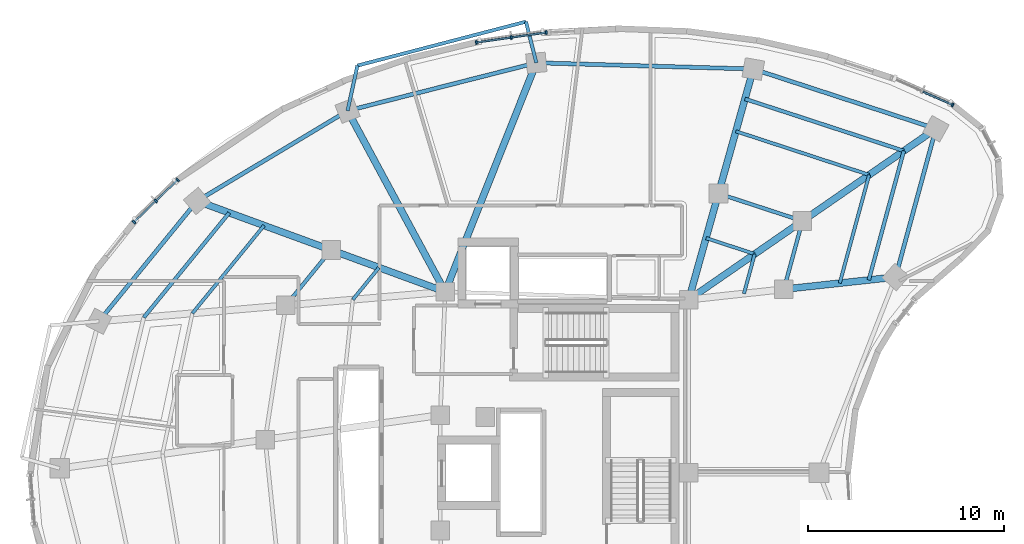
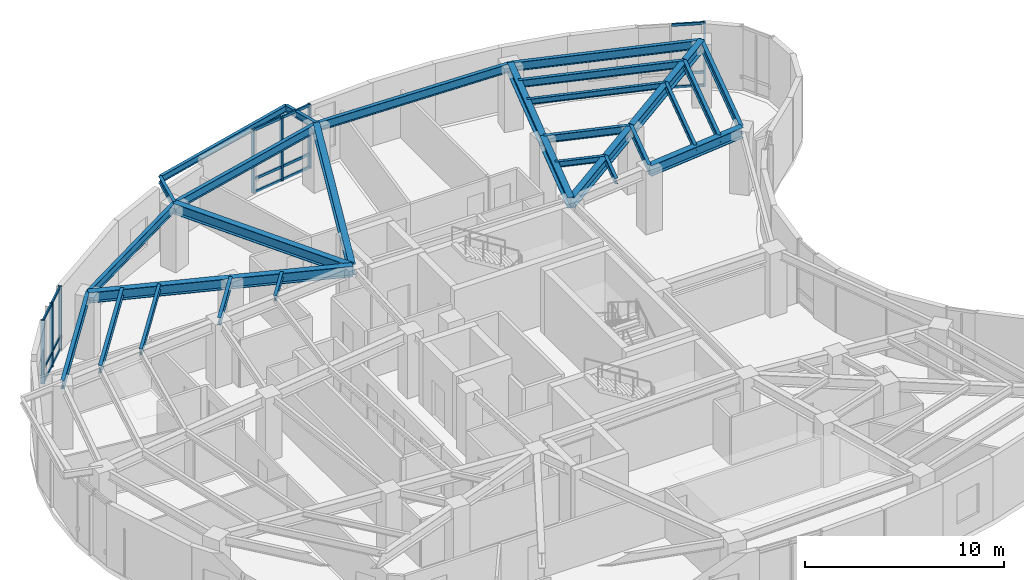
# One storey, part 5 of 15: 30 beams, 22 members, 3 elements without a shape of their own.
"""IFC4 building model written with IfcOpenShell, lengths in metres."""

import ifcopenshell
import ifcopenshell.guid

model = None  # the IFC model being written
_history = None  # IfcOwnerHistory: only IFC2X3 demands one
_inside = {}  # id of a spatial element -> (the spatial element, [elements in it])
_under = {}  # id of a project, library or spatial element -> (it, [spatial elements below it])
_declared = {}  # id of a project -> (the project, [libraries it declares])
_typed = {}  # id of a type object -> (the type object, [elements of that type])
_made_of = {}  # id of a material, layer set ... -> (it, [elements and type objects made of it])


def new_model(schema):
    """Start an empty IFC model of exactly this schema.

    Asked for "IFC4X3", IfcOpenShell would pick the latest addendum, in which some entities
    have other attributes; the version numbers below select the first issue.
    IFC2X3 requires an IfcOwnerHistory on every rooted entity: one is made here for all.
    """
    global model, _history
    if schema == "IFC4X3":
        model = ifcopenshell.file(schema_version=(4, 3, 0, 0))
    else:
        model = ifcopenshell.file(schema=schema)
    _inside.clear()
    _under.clear()
    _declared.clear()
    _typed.clear()
    _made_of.clear()
    _history = None
    if model.schema == "IFC2X3":
        org = make("IfcOrganization", Name="unknown")
        user = make(
            "IfcPersonAndOrganization",
            ThePerson=make("IfcPerson", FamilyName="unknown"),
            TheOrganization=org,
        )
        app = make(
            "IfcApplication",
            ApplicationDeveloper=org,
            Version="unknown",
            ApplicationFullName="unknown",
            ApplicationIdentifier="unknown",
        )
        _history = make(
            "IfcOwnerHistory",
            OwningUser=user,
            OwningApplication=app,
            ChangeAction="ADDED",
            CreationDate=0,
        )
    return model


def make(cls, **values):
    """One entity of the class cls with the attributes given. An attribute that is None is left unset."""
    return model.create_entity(
        cls, **{name: value for name, value in values.items() if value is not None}
    )


def rooted(cls, **values):
    """An entity with a GlobalId (a new one), such as an element, a storey or a relation."""
    return make(cls, GlobalId=ifcopenshell.guid.new(), OwnerHistory=_history, **values)


def si_unit(unit_type, name, prefix=None):
    """IfcSIUnit, for example si_unit("LENGTHUNIT", "METRE", prefix="MILLI")."""
    return make("IfcSIUnit", UnitType=unit_type, Prefix=prefix, Name=name)


def assignment(units):
    """IfcUnitAssignment: the units of a project."""
    return None if units is None else make("IfcUnitAssignment", Units=units)


def point(xyz):
    """IfcCartesianPoint."""
    return None if xyz is None else make("IfcCartesianPoint", Coordinates=xyz)


def direction(xyz):
    """IfcDirection."""
    return None if xyz is None else make("IfcDirection", DirectionRatios=xyz)


def frame(location, z_axis=None, x_axis=None):
    """IfcAxis2Placement3D, a coordinate frame: its origin and axes. An axis left out is left unset."""
    return make(
        "IfcAxis2Placement3D",
        Location=point(location),
        Axis=direction(z_axis),
        RefDirection=direction(x_axis),
    )


def frame_2d(location, x_axis=None):
    """IfcAxis2Placement2D, a coordinate frame in the plane: its origin and x axis."""
    return make(
        "IfcAxis2Placement2D", Location=point(location), RefDirection=direction(x_axis)
    )


def origin():
    """The frame at (0, 0, 0) with its axes left unset."""
    return frame((0.0, 0.0, 0.0))


def origin_2d():
    """The frame at (0, 0) in the plane with its x axis left unset."""
    return frame_2d((0.0, 0.0))


def place(relative_to, where):
    """IfcLocalPlacement: puts the frame where relative to a parent placement (None: the world)."""
    return make(
        "IfcLocalPlacement", PlacementRelTo=relative_to, RelativePlacement=where
    )


def context(
    kind, dimensions, precision=None, world=None, true_north=None, identifier=None
):
    """IfcGeometricRepresentationContext, for example the 3D "Model" context."""
    return make(
        "IfcGeometricRepresentationContext",
        ContextIdentifier=identifier,
        ContextType=kind,
        CoordinateSpaceDimension=dimensions,
        Precision=precision,
        WorldCoordinateSystem=world,
        TrueNorth=true_north,
    )


def subcontext(parent, identifier, kind, view, scale=None):
    """IfcGeometricRepresentationSubContext, for example "Body" below "Model"."""
    return make(
        "IfcGeometricRepresentationSubContext",
        ContextIdentifier=identifier,
        ContextType=kind,
        ParentContext=parent,
        TargetScale=scale,
        TargetView=view,
    )


def project(units=None, contexts=None):
    """IfcProject with its units and contexts."""
    return rooted(
        "IfcProject",
        Name="project",
        RepresentationContexts=contexts,
        UnitsInContext=assignment(units),
    )


def spatial(cls, under=None, at=None, **own):
    """A site, building, storey or space (cls), placed at a placement, below another one or the project."""
    s = rooted(cls, ObjectPlacement=at, **own)
    if under is not None:
        _under.setdefault(under.id(), (under, []))[1].append(s)
    return s


def profile(cls, at=None, kind="AREA", **sizes):
    """A parametric profile (cls). Its sizes go by their IFC names, for example OverallWidth=200.0."""
    return make(cls, ProfileType=kind, Position=at, **sizes)


def rectangle(**sizes):
    """IfcRectangleProfileDef."""
    return profile("IfcRectangleProfileDef", **sizes)


def i_section(**sizes):
    """IfcIShapeProfileDef."""
    return profile("IfcIShapeProfileDef", **sizes)


def extrude(swept, where, along, depth):
    """IfcExtrudedAreaSolid: the profile swept, set in the frame where, extruded along a direction by depth."""
    return make(
        "IfcExtrudedAreaSolid",
        SweptArea=swept,
        Position=where,
        ExtrudedDirection=direction(along),
        Depth=depth,
    )


def shape(context_of_items, identifier, shape_type, items):
    """IfcShapeRepresentation: the items that make up one representation, for example the "Body"."""
    return make(
        "IfcShapeRepresentation",
        ContextOfItems=context_of_items,
        RepresentationIdentifier=identifier,
        RepresentationType=shape_type,
        Items=items,
    )


def material(Name=None, Category=None):
    """IfcMaterial."""
    return make("IfcMaterial", Name=Name, Category=Category)


def layer(
    of_material, thickness, ventilated=None, Name=None, Category=None, Priority=None
):
    """IfcMaterialLayer: one layer of a wall or slab, of a material (None: an air gap)."""
    return make(
        "IfcMaterialLayer",
        Material=of_material,
        LayerThickness=thickness,
        IsVentilated=ventilated,
        Name=Name,
        Category=Category,
        Priority=Priority,
    )


def layer_set(layers, Name=None):
    """IfcMaterialLayerSet."""
    return make("IfcMaterialLayerSet", MaterialLayers=layers, LayerSetName=Name)


def material_profile(
    of_material, cross_section, Name=None, Category=None, Priority=None
):
    """IfcMaterialProfile: a cross section and its material."""
    return make(
        "IfcMaterialProfile",
        Name=Name,
        Material=of_material,
        Profile=cross_section,
        Priority=Priority,
        Category=Category,
    )


def profile_set(profiles, Name=None, composite=None):
    """IfcMaterialProfileSet."""
    return make(
        "IfcMaterialProfileSet",
        Name=Name,
        MaterialProfiles=profiles,
        CompositeProfile=composite,
    )


def made_of(thing, what):
    """Note that an element or type object is made of a material, layer set ...; save() writes the relation."""
    if what is not None:
        _made_of.setdefault(what.id(), (what, []))[1].append(thing)
    return thing


def type_object(cls, material=None, **own):
    """A type object (cls), such as IfcWallType, which elements share."""
    return made_of(rooted(cls, **own), material)


def element(
    cls,
    number,
    at=None,
    inside=None,
    cuts=None,
    type_object=None,
    material=None,
    context=None,
    identifier="Body",
    shape_type=None,
    held_by="IfcProductDefinitionShape",
    body=None,
    shapes=None,
    **own,
):
    """One element of the class cls, such as IfcWall. Its Tag is "e" and its number.

    at: its placement. inside: the storey or other place that contains it. cuts: it is an
    opening in that element (IfcRelVoidsElement). A single representation is given by context,
    identifier, shape_type and body (its items); several are given by shapes. held_by: the class
    of the entity that holds the representations. save() writes the other relations.
    """
    e = rooted(cls, Tag="e%d" % number, ObjectPlacement=at, **own)
    if body is not None:
        shapes = [shape(context, identifier, shape_type, body)]
    if shapes is not None:
        e.Representation = make(held_by, Representations=shapes)
    if inside is not None:
        _inside.setdefault(inside.id(), (inside, []))[1].append(e)
    if cuts is not None:
        rooted(
            "IfcRelVoidsElement", RelatingBuildingElement=cuts, RelatedOpeningElement=e
        )
    if type_object is not None:
        _typed.setdefault(type_object.id(), (type_object, []))[1].append(e)
    return made_of(e, material)


def aggregate(whole, parts):
    """IfcRelAggregates: a whole, such as a stair, and the parts it consists of."""
    return rooted("IfcRelAggregates", RelatingObject=whole, RelatedObjects=parts)


def save(model, path):
    """Write the relations noted so far, then the file.

    IfcRelAggregates (storeys below a building ...), IfcRelContainedInSpatialStructure (elements
    in a storey), IfcRelDefinesByType, IfcRelAssociatesMaterial and IfcRelDeclares: one each for
    every whole, place, type object, material and project.
    """
    for whole, parts in _under.values():
        aggregate(whole, parts)
    for where, things in _inside.values():
        rooted(
            "IfcRelContainedInSpatialStructure",
            RelatedElements=things,
            RelatingStructure=where,
        )
    for kind, things in _typed.values():
        rooted("IfcRelDefinesByType", RelatedObjects=things, RelatingType=kind)
    for what, things in _made_of.values():
        rooted("IfcRelAssociatesMaterial", RelatedObjects=things, RelatingMaterial=what)
    for by, libraries in _declared.values():
        rooted("IfcRelDeclares", RelatingContext=by, RelatedDefinitions=libraries)
    model.write(path)


model = new_model("IFC4")

# Units and contexts
model_context = context("Model", 3, precision=1e-05, world=origin(), true_north=direction((0.0, 1.0)))
body_context = subcontext(model_context, "Body", "Model", "MODEL_VIEW")
ifc_project = project(units=[si_unit("LENGTHUNIT", "METRE"), si_unit("AREAUNIT", "SQUARE_METRE"), si_unit("VOLUMEUNIT", "CUBIC_METRE"), si_unit("PLANEANGLEUNIT", "RADIAN"), si_unit("MASSUNIT", "GRAM", prefix="KILO")], contexts=[model_context])

# Site, building, storey
site_placement = place(None, origin())
site = spatial("IfcSite", under=ifc_project, at=site_placement, CompositionType="ELEMENT")
building_placement = place(site_placement, origin())
building = spatial("IfcBuilding", under=site, at=building_placement, Name="Korentha Bioscience Tower", CompositionType="ELEMENT")
storey_placement = place(building_placement, frame((0.0, 0.0, 218.39990234375)))
storey = spatial("IfcBuildingStorey", under=building, at=storey_placement, Name="L50", CompositionType="ELEMENT", Elevation=218.39990234375)

# Beams
ifc_material_1 = material(Name="Steel S355", Category="steel")
ifc_material_profile_1 = material_profile(ifc_material_1, i_section(OverallWidth=0.18994140625, OverallDepth=0.45703125, WebThickness=0.009033203125, FlangeThickness=0.014404296875, at=origin_2d()), Name="Steel S355")
ifc_profile_set_1 = profile_set([ifc_material_profile_1], Name="Steel S355 (MB-460)")
beam_type_1 = type_object("IfcBeamType", Name="Mid-Ring Tie Girder W460x74", PredefinedType="BEAM", material=ifc_profile_set_1)
beam_1_placement = place(storey_placement, frame((43.357666015625, 39.8662109375, 3.671630859375), z_axis=(-0.950447398506, 0.310885417274, 0.0), x_axis=(-0.310885417274, -0.950447398506, 0.0)))
element("IfcBeam", 1, at=beam_1_placement, inside=storey, type_object=beam_type_1, Name="L50 Mid-Ring Tie Girder 01", PredefinedType="BEAM", context=body_context, shape_type="SweptSolid", body=[
    extrude(i_section(OverallWidth=0.18994140625, OverallDepth=0.45703125, WebThickness=0.009033203125, FlangeThickness=0.014404296875, at=origin_2d()), origin(), (0.0, 0.0, 1.0), 4.5146484375),
])
beam_2_placement = place(storey_placement, frame((19.268310546875, 38.3837890625, 3.671630859375), z_axis=(-0.632275728894, -0.774743443116, 0.0), x_axis=(0.774743443116, -0.632275728894, 0.0)))
element("IfcBeam", 2, at=beam_2_placement, inside=storey, type_object=beam_type_1, Name="L50 Mid-Ring Tie Girder 05", PredefinedType="BEAM", context=body_context, shape_type="SweptSolid", body=[
    extrude(i_section(OverallWidth=0.18994140625, OverallDepth=0.45703125, WebThickness=0.009033203125, FlangeThickness=0.014404296875, at=origin_2d()), origin(), (0.0, 0.0, 1.0), 3.650146484375),
])
beam_3_placement = place(storey_placement, frame((42.41064453125, 36.379638671875, 3.671630859375), z_axis=(0.262122358011, 0.965034646752, 0.0), x_axis=(-0.965034646752, 0.262122358011, 0.0)))
element("IfcBeam", 3, at=beam_3_placement, inside=storey, type_object=beam_type_1, Name="L50 Mid-Ring Tie Girder 16", PredefinedType="BEAM", context=body_context, shape_type="SweptSolid", body=[
    extrude(i_section(OverallWidth=0.18994140625, OverallDepth=0.45703125, WebThickness=0.009033203125, FlangeThickness=0.014404296875, at=origin_2d()), origin(), (0.0, 0.0, 1.0), 3.61279296875),
])

# Curtain wall, member
ifc_material_2 = material(Name="Thermally Broken Aluminium Frame", Category="aluminium")
ifc_layer = layer(ifc_material_2, 0.219970703125, Name="Thermally Broken Aluminium Frame")
ifc_layer_set = layer_set([ifc_layer], Name="Thermally Broken Aluminium Frame (CW-T2)")
curtain_wall_type = type_object("IfcCurtainWallType", Name="Solar-Screened Lab Unitised Curtain Wall CW-T2", PredefinedType="USERDEFINED", material=ifc_layer_set)
curtain_wall_1_placement = place(storey_placement, origin())
curtain_wall_1 = element("IfcCurtainWall", 4, at=curtain_wall_1_placement, inside=storey, type_object=curtain_wall_type, Name="L50 Curtain Wall 01", ObjectType="UNITISED", PredefinedType="USERDEFINED")
ifc_material_3 = material(Name="Anodised Aluminium 6063-T6", Category="aluminium")
ifc_material_profile_2 = material_profile(ifc_material_3, rectangle(XDim=0.090087890625, YDim=0.199951171875, at=origin_2d()), Name="Anodised Aluminium 6063-T6")
ifc_profile_set_2 = profile_set([ifc_material_profile_2], Name="Anodised Aluminium 6063-T6 (CW-MUL)")
member_type_1 = type_object("IfcMemberType", Name="Mullion RECT 90x200", PredefinedType="MULLION", material=ifc_profile_set_2)
member_1_placement = place(storey_placement, frame((51.038818359375, 45.795166015625, 0.0), z_axis=(0.0, 0.0, 1.0), x_axis=(-0.913943941578, 0.405840450983, 0.0)))
member_1 = element("IfcMember", 5, at=member_1_placement, type_object=member_type_1, Name="CW-L50-01 Mullion 1", PredefinedType="MULLION", context=body_context, shape_type="SweptSolid", body=[
    extrude(rectangle(XDim=0.090087890625, YDim=0.199951171875, at=origin_2d()), origin(), (0.0, 0.0, 1.0), 3.900146484375),
])

# Curtain wall, members
curtain_wall_2_placement = place(storey_placement, origin())
curtain_wall_2 = element("IfcCurtainWall", 6, at=curtain_wall_2_placement, inside=storey, type_object=curtain_wall_type, Name="L50 Curtain Wall 07", ObjectType="UNITISED", PredefinedType="USERDEFINED")
member_2_placement = place(storey_placement, frame((30.267578125, 49.498779296875, 0.0), z_axis=(0.0, 0.0, 1.0), x_axis=(-0.989901889134, -0.141754188259, 0.0)))
member_2 = element("IfcMember", 7, at=member_2_placement, type_object=member_type_1, Name="CW-L50-07 Mullion 1", PredefinedType="MULLION", context=body_context, shape_type="SweptSolid", body=[
    extrude(rectangle(XDim=0.090087890625, YDim=0.199951171875, at=origin_2d()), origin(), (0.0, 0.0, 1.0), 3.900146484375),
])
member_3_placement = place(storey_placement, frame((28.47998046875, 49.242919921875, 0.0), z_axis=(0.0, 0.0, 1.0), x_axis=(-0.989901889134, -0.141754188259, 0.0)))
member_3 = element("IfcMember", 8, at=member_3_placement, type_object=member_type_1, Name="CW-L50-07 Mullion 2", PredefinedType="MULLION", context=body_context, shape_type="SweptSolid", body=[
    extrude(rectangle(XDim=0.090087890625, YDim=0.199951171875, at=origin_2d()), origin(), (0.0, 0.0, 1.0), 3.900146484375),
])
member_4_placement = place(storey_placement, frame((26.6923828125, 48.98681640625, 0.0), z_axis=(0.0, 0.0, 1.0), x_axis=(-0.989901889134, -0.141754188259, 0.0)))
member_4 = element("IfcMember", 9, at=member_4_placement, type_object=member_type_1, Name="CW-L50-07 Mullion 3", PredefinedType="MULLION", context=body_context, shape_type="SweptSolid", body=[
    extrude(rectangle(XDim=0.090087890625, YDim=0.199951171875, at=origin_2d()), origin(), (0.0, 0.0, 1.0), 3.900146484375),
])

curtain_wall_3_placement = place(storey_placement, origin())
curtain_wall_3 = element("IfcCurtainWall", 10, at=curtain_wall_3_placement, inside=storey, type_object=curtain_wall_type, Name="L50 Curtain Wall 13", ObjectType="UNITISED", PredefinedType="USERDEFINED")
member_5_placement = place(storey_placement, frame((11.43017578125, 41.968994140625, 0.0), z_axis=(0.0, 0.0, 1.0), x_axis=(-0.719000359175, -0.695009700297, 0.0)))
member_5 = element("IfcMember", 11, at=member_5_placement, type_object=member_type_1, Name="CW-L50-13 Mullion 1", PredefinedType="MULLION", context=body_context, shape_type="SweptSolid", body=[
    extrude(rectangle(XDim=0.090087890625, YDim=0.199951171875, at=origin_2d()), origin(), (0.0, 0.0, 1.0), 3.900146484375),
])
member_6_placement = place(storey_placement, frame((10.313232421875, 40.889404296875, 0.0), z_axis=(0.0, 0.0, 1.0), x_axis=(-0.719000359175, -0.695009700297, 0.0)))
member_6 = element("IfcMember", 12, at=member_6_placement, type_object=member_type_1, Name="CW-L50-13 Mullion 2", PredefinedType="MULLION", context=body_context, shape_type="SweptSolid", body=[
    extrude(rectangle(XDim=0.090087890625, YDim=0.199951171875, at=origin_2d()), origin(), (0.0, 0.0, 1.0), 3.900146484375),
])
member_7_placement = place(storey_placement, frame((9.1962890625, 39.809814453125, 0.0), z_axis=(0.0, 0.0, 1.0), x_axis=(-0.719000359175, -0.695009700297, 0.0)))
member_7 = element("IfcMember", 13, at=member_7_placement, type_object=member_type_1, Name="CW-L50-13 Mullion 3", PredefinedType="MULLION", context=body_context, shape_type="SweptSolid", body=[
    extrude(rectangle(XDim=0.090087890625, YDim=0.199951171875, at=origin_2d()), origin(), (0.0, 0.0, 1.0), 3.900146484375),
])

# Beams
ifc_material_profile_3 = material_profile(ifc_material_1, i_section(OverallWidth=0.208984375, OverallDepth=0.532958984375, WebThickness=0.01025390625, FlangeThickness=0.015625, at=origin_2d()), Name="Steel S355")
ifc_profile_set_3 = profile_set([ifc_material_profile_3], Name="Steel S355 (SB-530)")
beam_type_2 = type_object("IfcBeamType", Name="Perimeter Ring Spandrel Girder W530x92", PredefinedType="SPANDREL", material=ifc_profile_set_3)
beam_4_placement = place(storey_placement, frame((50.175537109375, 44.580810546875, 3.633544921875), z_axis=(-0.950449256032, 0.310879738338, 0.0), x_axis=(-0.310879738338, -0.950449256032, 0.0)))
element("IfcBeam", 14, at=beam_4_placement, inside=storey, type_object=beam_type_2, Name="L50 Perimeter Spandrel Girder 01", PredefinedType="SPANDREL", context=body_context, shape_type="SweptSolid", body=[
    extrude(i_section(OverallWidth=0.208984375, OverallDepth=0.532958984375, WebThickness=0.01025390625, FlangeThickness=0.015625, at=origin_2d()), origin(), (0.0, 0.0, 1.0), 9.81494140625),
])
beam_5_placement = place(storey_placement, frame((40.846923828125, 47.632080078125, 3.633544921875), z_axis=(-0.999586140554, 0.028767127286, 0.0), x_axis=(-0.028767127286, -0.999586140554, 0.0)))
element("IfcBeam", 15, at=beam_5_placement, inside=storey, type_object=beam_type_2, Name="L50 Perimeter Spandrel Girder 02", PredefinedType="SPANDREL", context=body_context, shape_type="SweptSolid", body=[
    extrude(i_section(OverallWidth=0.208984375, OverallDepth=0.532958984375, WebThickness=0.01025390625, FlangeThickness=0.015625, at=origin_2d()), origin(), (0.0, 0.0, 1.0), 11.09228515625),
])
beam_6_placement = place(storey_placement, frame((29.75927734375, 47.951171875, 3.633544921875), z_axis=(-0.969197317616, -0.246285524395, 0.0), x_axis=(0.246285524395, -0.969197317616, 0.0)))
element("IfcBeam", 16, at=beam_6_placement, inside=storey, type_object=beam_type_2, Name="L50 Perimeter Spandrel Girder 03", PredefinedType="SPANDREL", context=body_context, shape_type="SweptSolid", body=[
    extrude(i_section(OverallWidth=0.208984375, OverallDepth=0.532958984375, WebThickness=0.01025390625, FlangeThickness=0.015625, at=origin_2d()), origin(), (0.0, 0.0, 1.0), 9.95263671875),
])
beam_7_placement = place(storey_placement, frame((20.11328125, 45.5, 3.633544921875), z_axis=(-0.857644232791, -0.514243492872, 0.0), x_axis=(0.514243492872, -0.857644232791, 0.0)))
element("IfcBeam", 17, at=beam_7_placement, inside=storey, type_object=beam_type_2, Name="L50 Perimeter Spandrel Girder 04", PredefinedType="SPANDREL", context=body_context, shape_type="SweptSolid", body=[
    extrude(i_section(OverallWidth=0.208984375, OverallDepth=0.532958984375, WebThickness=0.01025390625, FlangeThickness=0.015625, at=origin_2d()), origin(), (0.0, 0.0, 1.0), 8.96728515625),
])
beam_8_placement = place(storey_placement, frame((12.422607421875, 40.888671875, 3.633544921875), z_axis=(-0.632315820697, -0.774710722074, 0.0), x_axis=(0.774710722074, -0.632315820697, 0.0)))
element("IfcBeam", 18, at=beam_8_placement, inside=storey, type_object=beam_type_2, Name="L50 Perimeter Spandrel Girder 05", PredefinedType="SPANDREL", context=body_context, shape_type="SweptSolid", body=[
    extrude(i_section(OverallWidth=0.208984375, OverallDepth=0.532958984375, WebThickness=0.01025390625, FlangeThickness=0.015625, at=origin_2d()), origin(), (0.0, 0.0, 1.0), 7.934814453125),
])
beam_9_placement = place(storey_placement, frame((48.116455078125, 37.001220703125, 3.633544921875), z_axis=(0.26215989838, 0.965024449266, 0.0), x_axis=(-0.965024449266, 0.26215989838, 0.0)))
element("IfcBeam", 19, at=beam_9_placement, inside=storey, type_object=beam_type_2, Name="L50 Perimeter Spandrel Girder 16", PredefinedType="SPANDREL", context=body_context, shape_type="SweptSolid", body=[
    extrude(i_section(OverallWidth=0.208984375, OverallDepth=0.532958984375, WebThickness=0.01025390625, FlangeThickness=0.015625, at=origin_2d()), origin(), (0.0, 0.0, 1.0), 7.854248046875),
])
ifc_material_profile_4 = material_profile(ifc_material_1, i_section(OverallWidth=0.18994140625, OverallDepth=0.45703125, WebThickness=0.009033203125, FlangeThickness=0.014404296875, at=origin_2d()), Name="Steel S355")
ifc_profile_set_4 = profile_set([ifc_material_profile_4], Name="Steel S355 (RB-460)")
beam_type_3 = type_object("IfcBeamType", Name="Radial Laboratory Beam W460x74", PredefinedType="BEAM", material=ifc_profile_set_4)
beam_10_placement = place(storey_placement, frame((48.539306640625, 43.44921875, 3.671630859375), z_axis=(-0.950451488918, 0.310872911674, 0.0), x_axis=(-0.310872911674, -0.950451488918, 0.0)))
element("IfcBeam", 20, at=beam_10_placement, inside=storey, type_object=beam_type_3, Name="L50 Secondary Floor Beam JSTO-01", PredefinedType="BEAM", context=body_context, shape_type="SweptSolid", body=[
    extrude(i_section(OverallWidth=0.18994140625, OverallDepth=0.45703125, WebThickness=0.009033203125, FlangeThickness=0.014404296875, at=origin_2d()), origin(), (0.0, 0.0, 1.0), 8.54296875),
])
beam_11_placement = place(storey_placement, frame((14.065673828125, 40.28759765625, 3.671630859375), z_axis=(-0.632321075077, -0.77470643344, 0.0), x_axis=(0.77470643344, -0.632321075077, 0.0)))
element("IfcBeam", 21, at=beam_11_placement, inside=storey, type_object=beam_type_3, Name="L50 Secondary Floor Beam JSTO-05", PredefinedType="BEAM", context=body_context, shape_type="SweptSolid", body=[
    extrude(i_section(OverallWidth=0.18994140625, OverallDepth=0.45703125, WebThickness=0.009033203125, FlangeThickness=0.014404296875, at=origin_2d()), origin(), (0.0, 0.0, 1.0), 6.906494140625),
])
beam_12_placement = place(storey_placement, frame((46.7470703125, 36.85205078125, 3.671630859375), z_axis=(0.262165402462, 0.965022954003, 0.0), x_axis=(-0.965022954003, 0.262165402462, 0.0)))
element("IfcBeam", 22, at=beam_12_placement, inside=storey, type_object=beam_type_3, Name="L50 Secondary Floor Beam JSTO-16", PredefinedType="BEAM", context=body_context, shape_type="SweptSolid", body=[
    extrude(i_section(OverallWidth=0.18994140625, OverallDepth=0.45703125, WebThickness=0.009033203125, FlangeThickness=0.014404296875, at=origin_2d()), origin(), (0.0, 0.0, 1.0), 6.836181640625),
])
ifc_material_profile_5 = material_profile(ifc_material_1, i_section(OverallWidth=0.35009765625, OverallDepth=0.64990234375, WebThickness=0.01611328125, FlangeThickness=0.02490234375, at=origin_2d()), Name="Steel S355")
ifc_profile_set_5 = profile_set([ifc_material_profile_5], Name="Steel S355 (RB-650)")
beam_type_4 = type_object("IfcBeamType", Name="Radial Laboratory Girder CVS 650x208", PredefinedType="BEAM", material=ifc_profile_set_5)
beam_13_placement = place(storey_placement, frame((37.550048828125, 35.85009765625, 3.5751953125), z_axis=(0.822493302413, 0.568774795052, 0.0), x_axis=(-0.568774795052, 0.822493302413, 0.0)))
element("IfcBeam", 23, at=beam_13_placement, inside=storey, type_object=beam_type_4, Name="L50 Inner Radial Girder 01", PredefinedType="BEAM", context=body_context, shape_type="SweptSolid", body=[
    extrude(i_section(OverallWidth=0.35009765625, OverallDepth=0.64990234375, WebThickness=0.01611328125, FlangeThickness=0.02490234375, at=origin_2d()), origin(), (0.0, 0.0, 1.0), 7.06103515625),
])
beam_14_placement = place(storey_placement, frame((43.357666015625, 39.8662109375, 3.5751953125), z_axis=(0.82250061903, 0.568764214499, 0.0), x_axis=(-0.568764214499, 0.82250061903, 0.0)))
element("IfcBeam", 24, at=beam_14_placement, inside=storey, type_object=beam_type_4, Name="L50 Outer Radial Girder 01", PredefinedType="BEAM", context=body_context, shape_type="SweptSolid", body=[
    extrude(i_section(OverallWidth=0.35009765625, OverallDepth=0.64990234375, WebThickness=0.01611328125, FlangeThickness=0.02490234375, at=origin_2d()), origin(), (0.0, 0.0, 1.0), 8.289306640625),
])
beam_15_placement = place(storey_placement, frame((37.550048828125, 35.85009765625, 3.5751953125), z_axis=(0.269480278508, 0.963005908339, 0.0), x_axis=(-0.963005908339, 0.269480278508, 0.0)))
element("IfcBeam", 25, at=beam_15_placement, inside=storey, type_object=beam_type_4, Name="L50 Inner Radial Girder 02", PredefinedType="BEAM", context=body_context, shape_type="SweptSolid", body=[
    extrude(i_section(OverallWidth=0.35009765625, OverallDepth=0.64990234375, WebThickness=0.01611328125, FlangeThickness=0.02490234375, at=origin_2d()), origin(), (0.0, 0.0, 1.0), 5.6279296875),
])
beam_16_placement = place(storey_placement, frame((39.066650390625, 41.269775390625, 3.5751953125), z_axis=(0.269465439817, 0.963010060562, 0.0), x_axis=(-0.963010060562, 0.269465439817, 0.0)))
element("IfcBeam", 26, at=beam_16_placement, inside=storey, type_object=beam_type_4, Name="L50 Outer Radial Girder 02", PredefinedType="BEAM", context=body_context, shape_type="SweptSolid", body=[
    extrude(i_section(OverallWidth=0.35009765625, OverallDepth=0.64990234375, WebThickness=0.01611328125, FlangeThickness=0.02490234375, at=origin_2d()), origin(), (0.0, 0.0, 1.0), 6.606689453125),
])
beam_17_placement = place(storey_placement, frame((25.10009765625, 36.25, 3.5751953125), z_axis=(0.369933042289, 0.929058418089, 0.0), x_axis=(-0.929058418089, 0.369933042289, 0.0)))
element("IfcBeam", 27, at=beam_17_placement, inside=storey, type_object=beam_type_4, Name="L50 Radial Girder 03", PredefinedType="BEAM", context=body_context, shape_type="SweptSolid", body=[
    extrude(i_section(OverallWidth=0.35009765625, OverallDepth=0.64990234375, WebThickness=0.01611328125, FlangeThickness=0.02490234375, at=origin_2d()), origin(), (0.0, 0.0, 1.0), 12.5947265625),
])
beam_18_placement = place(storey_placement, frame((25.10009765625, 36.25, 3.5751953125), z_axis=(-0.474545867703, 0.880230776243, 0.0), x_axis=(-0.880230776243, -0.474545867703, 0.0)))
element("IfcBeam", 28, at=beam_18_placement, inside=storey, type_object=beam_type_4, Name="L50 Radial Girder 04", PredefinedType="BEAM", context=body_context, shape_type="SweptSolid", body=[
    extrude(i_section(OverallWidth=0.35009765625, OverallDepth=0.64990234375, WebThickness=0.01611328125, FlangeThickness=0.02490234375, at=origin_2d()), origin(), (0.0, 0.0, 1.0), 10.508544921875),
])
beam_19_placement = place(storey_placement, frame((25.10009765625, 36.25, 3.5751953125), z_axis=(-0.939112022558, 0.343611130622, 0.0), x_axis=(-0.343611130622, -0.939112022558, 0.0)))
element("IfcBeam", 29, at=beam_19_placement, inside=storey, type_object=beam_type_4, Name="L50 Inner Radial Girder 05", PredefinedType="BEAM", context=body_context, shape_type="SweptSolid", body=[
    extrude(i_section(OverallWidth=0.35009765625, OverallDepth=0.64990234375, WebThickness=0.01611328125, FlangeThickness=0.02490234375, at=origin_2d()), origin(), (0.0, 0.0, 1.0), 6.2099609375),
])
beam_20_placement = place(storey_placement, frame((19.268310546875, 38.3837890625, 3.5751953125), z_axis=(-0.939107036581, 0.343624757322, 0.0), x_axis=(-0.343624757322, -0.939107036581, 0.0)))
element("IfcBeam", 30, at=beam_20_placement, inside=storey, type_object=beam_type_4, Name="L50 Outer Radial Girder 05", PredefinedType="BEAM", context=body_context, shape_type="SweptSolid", body=[
    extrude(i_section(OverallWidth=0.35009765625, OverallDepth=0.64990234375, WebThickness=0.01611328125, FlangeThickness=0.02490234375, at=origin_2d()), origin(), (0.0, 0.0, 1.0), 7.28955078125),
])
beam_21_placement = place(storey_placement, frame((42.41064453125, 36.379638671875, 3.5751953125), z_axis=(0.994118507308, 0.108297707398, 0.0), x_axis=(-0.108297707398, 0.994118507308, 0.0)))
element("IfcBeam", 31, at=beam_21_placement, inside=storey, type_object=beam_type_4, Name="L50 Outer Radial Girder 16", PredefinedType="BEAM", context=body_context, shape_type="SweptSolid", body=[
    extrude(i_section(OverallWidth=0.35009765625, OverallDepth=0.64990234375, WebThickness=0.01611328125, FlangeThickness=0.02490234375, at=origin_2d()), origin(), (0.0, 0.0, 1.0), 5.739501953125),
])
ifc_material_profile_6 = material_profile(ifc_material_1, i_section(OverallWidth=0.1708984375, OverallDepth=0.35498046875, WebThickness=0.007080078125, FlangeThickness=0.01171875, at=origin_2d()), Name="Steel S355")
ifc_profile_set_6 = profile_set([ifc_material_profile_6], Name="Steel S355 (JB-360)")
beam_type_5 = type_object("IfcBeamType", Name="Secondary Laboratory Joist W360x51", PredefinedType="JOIST", material=ifc_profile_set_6)
beam_22_placement = place(storey_placement, frame((46.7666015625, 42.223388671875, 3.72265625), z_axis=(-0.950443636542, 0.310896918216, 0.0), x_axis=(-0.310896918216, -0.950443636542, 0.0)))
element("IfcBeam", 32, at=beam_22_placement, inside=storey, type_object=beam_type_5, Name="L50 Secondary Floor Beam JST-01", PredefinedType="JOIST", context=body_context, shape_type="SweptSolid", body=[
    extrude(i_section(OverallWidth=0.1708984375, OverallDepth=0.35498046875, WebThickness=0.007080078125, FlangeThickness=0.01171875, at=origin_2d()), origin(), (0.0, 0.0, 1.0), 7.164794921875),
])
beam_23_placement = place(storey_placement, frame((40.91845703125, 38.179443359375, 3.72265625), z_axis=(-0.950458247894, 0.31085224627, 0.0), x_axis=(-0.31085224627, -0.950458247894, 0.0)))
element("IfcBeam", 33, at=beam_23_placement, inside=storey, type_object=beam_type_5, Name="L50 Inner Bay Joist 01", PredefinedType="JOIST", context=body_context, shape_type="SweptSolid", body=[
    extrude(i_section(OverallWidth=0.1708984375, OverallDepth=0.35498046875, WebThickness=0.007080078125, FlangeThickness=0.01171875, at=origin_2d()), origin(), (0.0, 0.0, 1.0), 2.618408203125),
])
beam_24_placement = place(storey_placement, frame((15.845458984375, 39.63623046875, 3.72265625), z_axis=(-0.632303189088, -0.774721031771, 0.0), x_axis=(0.774721031771, -0.632303189088, 0.0)))
element("IfcBeam", 34, at=beam_24_placement, inside=storey, type_object=beam_type_5, Name="L50 Secondary Floor Beam JST-05", PredefinedType="JOIST", context=body_context, shape_type="SweptSolid", body=[
    extrude(i_section(OverallWidth=0.1708984375, OverallDepth=0.35498046875, WebThickness=0.007080078125, FlangeThickness=0.01171875, at=origin_2d()), origin(), (0.0, 0.0, 1.0), 5.79248046875),
])
beam_25_placement = place(storey_placement, frame((21.7177734375, 37.487548828125, 3.72265625), z_axis=(-0.632370841021, -0.774665811448, 0.0), x_axis=(0.774665811448, -0.632370841021, 0.0)))
element("IfcBeam", 35, at=beam_25_placement, inside=storey, type_object=beam_type_5, Name="L50 Inner Bay Joist 05", PredefinedType="JOIST", context=body_context, shape_type="SweptSolid", body=[
    extrude(i_section(OverallWidth=0.1708984375, OverallDepth=0.35498046875, WebThickness=0.007080078125, FlangeThickness=0.01171875, at=origin_2d()), origin(), (0.0, 0.0, 1.0), 2.1171875),
])
beam_26_placement = place(storey_placement, frame((45.263671875, 36.6904296875, 3.72265625), z_axis=(0.262133629198, 0.965031585205, 0.0), x_axis=(-0.965031585205, 0.262133629198, 0.0)))
element("IfcBeam", 36, at=beam_26_placement, inside=storey, type_object=beam_type_5, Name="L50 Secondary Floor Beam JST-16", PredefinedType="JOIST", context=body_context, shape_type="SweptSolid", body=[
    extrude(i_section(OverallWidth=0.1708984375, OverallDepth=0.35498046875, WebThickness=0.007080078125, FlangeThickness=0.01171875, at=origin_2d()), origin(), (0.0, 0.0, 1.0), 5.7333984375),
])
beam_27_placement = place(storey_placement, frame((40.369140625, 36.1572265625, 3.72265625), z_axis=(0.262141298938, 0.965029501824, 0.0), x_axis=(-0.965029501824, 0.262141298938, 0.0)))
element("IfcBeam", 37, at=beam_27_placement, inside=storey, type_object=beam_type_5, Name="L50 Inner Bay Joist 16", PredefinedType="JOIST", context=body_context, shape_type="SweptSolid", body=[
    extrude(i_section(OverallWidth=0.1708984375, OverallDepth=0.35498046875, WebThickness=0.007080078125, FlangeThickness=0.01171875, at=origin_2d()), origin(), (0.0, 0.0, 1.0), 2.095458984375),
])
ifc_material_profile_7 = material_profile(ifc_material_1, i_section(OverallWidth=0.177978515625, OverallDepth=0.406982421875, WebThickness=0.0078125, FlangeThickness=0.0126953125, at=origin_2d()), Name="Steel S355")
ifc_profile_set_7 = profile_set([ifc_material_profile_7], Name="Steel S355 (CB-410)")
beam_type_6 = type_object("IfcBeamType", Name="Sun-Ledge Cantilever Beam W410x60", PredefinedType="BEAM", material=ifc_profile_set_7)
beam_28_placement = place(storey_placement, frame((29.75927734375, 47.951171875, 3.698486328125), z_axis=(-0.245026507766, 0.969516379693, 0.0), x_axis=(-0.969516379693, -0.245026507766, 0.0)))
element("IfcBeam", 38, at=beam_28_placement, inside=storey, type_object=beam_type_6, Name="L50 Balcony Cantilever Bracket A-L51-01", PredefinedType="BEAM", context=body_context, shape_type="SweptSolid", body=[
    extrude(i_section(OverallWidth=0.177978515625, OverallDepth=0.406982421875, WebThickness=0.0078125, FlangeThickness=0.0126953125, at=origin_2d()), origin(), (0.0, 0.0, 1.0), 2.167236328125),
])
beam_29_placement = place(storey_placement, frame((20.11328125, 45.5, 3.698486328125), z_axis=(0.211970516283, 0.977276061421, 0.0), x_axis=(-0.977276061421, 0.211970516283, 0.0)))
element("IfcBeam", 39, at=beam_29_placement, inside=storey, type_object=beam_type_6, Name="L50 Balcony Cantilever Bracket B-L51-01", PredefinedType="BEAM", context=body_context, shape_type="SweptSolid", body=[
    extrude(i_section(OverallWidth=0.177978515625, OverallDepth=0.406982421875, WebThickness=0.0078125, FlangeThickness=0.0126953125, at=origin_2d()), origin(), (0.0, 0.0, 1.0), 2.3623046875),
])
beam_30_placement = place(storey_placement, frame((29.228271484375, 50.05224609375, 3.698486328125), z_axis=(-0.967714479452, -0.252048975914, 0.0), x_axis=(0.252048975914, -0.967714479452, 0.0)))
element("IfcBeam", 40, at=beam_30_placement, inside=storey, type_object=beam_type_6, Name="L50 Balcony Edge Trimmer Beam L51-01", PredefinedType="BEAM", context=body_context, shape_type="SweptSolid", body=[
    extrude(i_section(OverallWidth=0.177978515625, OverallDepth=0.406982421875, WebThickness=0.0078125, FlangeThickness=0.0126953125, at=origin_2d()), origin(), (0.0, 0.0, 1.0), 8.901611328125),
])

# Member
ifc_material_profile_8 = material_profile(ifc_material_3, rectangle(XDim=0.090087890625, YDim=0.159912109375, at=origin_2d()), Name="Anodised Aluminium 6063-T6")
ifc_profile_set_8 = profile_set([ifc_material_profile_8], Name="Anodised Aluminium 6063-T6 (CW-TRN)")
member_type_2 = type_object("IfcMemberType", Name="Transom RECT 90x160", PredefinedType="USERDEFINED", material=ifc_profile_set_8)
member_8_placement = place(storey_placement, frame((50.99755859375, 45.813232421875, 0.045166015625), z_axis=(-0.913935479932, 0.405859505891, 0.0), x_axis=(-0.405859505891, -0.913935479932, 0.0)))
member_8 = element("IfcMember", 41, at=member_8_placement, type_object=member_type_2, Name="CW-L50-01 Bay 1 Transom 1", ObjectType="TRANSOM", PredefinedType="USERDEFINED", context=body_context, shape_type="SweptSolid", body=[
    extrude(rectangle(XDim=0.090087890625, YDim=0.159912109375, at=origin_2d()), origin(), (0.0, 0.0, 1.0), 1.624267578125),
])

member_9_placement = place(storey_placement, frame((50.99755859375, 45.813232421875, 0.85009765625), z_axis=(-0.913935479932, 0.405859505891, 0.0), x_axis=(-0.405859505891, -0.913935479932, 0.0)))
member_9 = element("IfcMember", 42, at=member_9_placement, type_object=member_type_2, Name="CW-L50-01 Bay 1 Transom 2", ObjectType="TRANSOM", PredefinedType="USERDEFINED", context=body_context, shape_type="SweptSolid", body=[
    extrude(rectangle(XDim=0.090087890625, YDim=0.159912109375, at=origin_2d()), origin(), (0.0, 0.0, 1.0), 1.624267578125),
])

member_10_placement = place(storey_placement, frame((50.99755859375, 45.813232421875, 3.85498046875), z_axis=(-0.913935479932, 0.405859505891, 0.0), x_axis=(-0.405859505891, -0.913935479932, 0.0)))
member_10 = element("IfcMember", 43, at=member_10_placement, type_object=member_type_2, Name="CW-L50-01 Bay 1 Transom 3", ObjectType="TRANSOM", PredefinedType="USERDEFINED", context=body_context, shape_type="SweptSolid", body=[
    extrude(rectangle(XDim=0.090087890625, YDim=0.159912109375, at=origin_2d()), origin(), (0.0, 0.0, 1.0), 1.624267578125),
])

aggregate(curtain_wall_1, [member_1, member_8, member_9, member_10])

member_11_placement = place(storey_placement, frame((30.222900390625, 49.492431640625, 0.045166015625), z_axis=(-0.989906761771, -0.141720157356, 0.0), x_axis=(0.141720157356, -0.989906761771, 0.0)))
member_11 = element("IfcMember", 44, at=member_11_placement, type_object=member_type_2, Name="CW-L50-07 Bay 1 Transom 1", ObjectType="TRANSOM", PredefinedType="USERDEFINED", context=body_context, shape_type="SweptSolid", body=[
    extrude(rectangle(XDim=0.090087890625, YDim=0.159912109375, at=origin_2d()), origin(), (0.0, 0.0, 1.0), 1.7158203125),
])

member_12_placement = place(storey_placement, frame((30.222900390625, 49.492431640625, 0.85009765625), z_axis=(-0.989906761771, -0.141720157356, 0.0), x_axis=(0.141720157356, -0.989906761771, 0.0)))
member_12 = element("IfcMember", 45, at=member_12_placement, type_object=member_type_2, Name="CW-L50-07 Bay 1 Transom 2", ObjectType="TRANSOM", PredefinedType="USERDEFINED", context=body_context, shape_type="SweptSolid", body=[
    extrude(rectangle(XDim=0.090087890625, YDim=0.159912109375, at=origin_2d()), origin(), (0.0, 0.0, 1.0), 1.7158203125),
])

member_13_placement = place(storey_placement, frame((30.222900390625, 49.492431640625, 3.85498046875), z_axis=(-0.989906761771, -0.141720157356, 0.0), x_axis=(0.141720157356, -0.989906761771, 0.0)))
member_13 = element("IfcMember", 46, at=member_13_placement, type_object=member_type_2, Name="CW-L50-07 Bay 1 Transom 3", ObjectType="TRANSOM", PredefinedType="USERDEFINED", context=body_context, shape_type="SweptSolid", body=[
    extrude(rectangle(XDim=0.090087890625, YDim=0.159912109375, at=origin_2d()), origin(), (0.0, 0.0, 1.0), 1.7158203125),
])

member_14_placement = place(storey_placement, frame((28.435302734375, 49.236572265625, 0.045166015625), z_axis=(-0.989903903342, -0.14174012187, 0.0), x_axis=(0.14174012187, -0.989903903342, 0.0)))
member_14 = element("IfcMember", 47, at=member_14_placement, type_object=member_type_2, Name="CW-L50-07 Bay 2 Transom 1", ObjectType="TRANSOM", PredefinedType="USERDEFINED", context=body_context, shape_type="SweptSolid", body=[
    extrude(rectangle(XDim=0.090087890625, YDim=0.159912109375, at=origin_2d()), origin(), (0.0, 0.0, 1.0), 1.715576171875),
])

member_15_placement = place(storey_placement, frame((28.435302734375, 49.236572265625, 0.85009765625), z_axis=(-0.989903903342, -0.14174012187, 0.0), x_axis=(0.14174012187, -0.989903903342, 0.0)))
member_15 = element("IfcMember", 48, at=member_15_placement, type_object=member_type_2, Name="CW-L50-07 Bay 2 Transom 2", ObjectType="TRANSOM", PredefinedType="USERDEFINED", context=body_context, shape_type="SweptSolid", body=[
    extrude(rectangle(XDim=0.090087890625, YDim=0.159912109375, at=origin_2d()), origin(), (0.0, 0.0, 1.0), 1.715576171875),
])

member_16_placement = place(storey_placement, frame((28.435302734375, 49.236572265625, 3.85498046875), z_axis=(-0.989903903342, -0.14174012187, 0.0), x_axis=(0.14174012187, -0.989903903342, 0.0)))
member_16 = element("IfcMember", 49, at=member_16_placement, type_object=member_type_2, Name="CW-L50-07 Bay 2 Transom 3", ObjectType="TRANSOM", PredefinedType="USERDEFINED", context=body_context, shape_type="SweptSolid", body=[
    extrude(rectangle(XDim=0.090087890625, YDim=0.159912109375, at=origin_2d()), origin(), (0.0, 0.0, 1.0), 1.715576171875),
])

aggregate(curtain_wall_2, [member_2, member_3, member_4, member_11, member_12, member_13, member_14, member_15, member_16])

member_17_placement = place(storey_placement, frame((11.397705078125, 41.937744140625, 0.045166015625), z_axis=(-0.719016163687, -0.694993349865, 0.0), x_axis=(0.694993349865, -0.719016163687, 0.0)))
member_17 = element("IfcMember", 50, at=member_17_placement, type_object=member_type_2, Name="CW-L50-13 Bay 1 Transom 1", ObjectType="TRANSOM", PredefinedType="USERDEFINED", context=body_context, shape_type="SweptSolid", body=[
    extrude(rectangle(XDim=0.090087890625, YDim=0.159912109375, at=origin_2d()), origin(), (0.0, 0.0, 1.0), 1.46337890625),
])

member_18_placement = place(storey_placement, frame((11.397705078125, 41.937744140625, 0.85009765625), z_axis=(-0.719016163687, -0.694993349865, 0.0), x_axis=(0.694993349865, -0.719016163687, 0.0)))
member_18 = element("IfcMember", 51, at=member_18_placement, type_object=member_type_2, Name="CW-L50-13 Bay 1 Transom 2", ObjectType="TRANSOM", PredefinedType="USERDEFINED", context=body_context, shape_type="SweptSolid", body=[
    extrude(rectangle(XDim=0.090087890625, YDim=0.159912109375, at=origin_2d()), origin(), (0.0, 0.0, 1.0), 1.46337890625),
])

member_19_placement = place(storey_placement, frame((11.397705078125, 41.937744140625, 3.85498046875), z_axis=(-0.719016163687, -0.694993349865, 0.0), x_axis=(0.694993349865, -0.719016163687, 0.0)))
member_19 = element("IfcMember", 52, at=member_19_placement, type_object=member_type_2, Name="CW-L50-13 Bay 1 Transom 3", ObjectType="TRANSOM", PredefinedType="USERDEFINED", context=body_context, shape_type="SweptSolid", body=[
    extrude(rectangle(XDim=0.090087890625, YDim=0.159912109375, at=origin_2d()), origin(), (0.0, 0.0, 1.0), 1.46337890625),
])

member_20_placement = place(storey_placement, frame((10.28076171875, 40.858154296875, 0.045166015625), z_axis=(-0.719016163687, -0.694993349865, 0.0), x_axis=(0.694993349865, -0.719016163687, 0.0)))
member_20 = element("IfcMember", 53, at=member_20_placement, type_object=member_type_2, Name="CW-L50-13 Bay 2 Transom 1", ObjectType="TRANSOM", PredefinedType="USERDEFINED", context=body_context, shape_type="SweptSolid", body=[
    extrude(rectangle(XDim=0.090087890625, YDim=0.159912109375, at=origin_2d()), origin(), (0.0, 0.0, 1.0), 1.46337890625),
])

member_21_placement = place(storey_placement, frame((10.28076171875, 40.858154296875, 0.85009765625), z_axis=(-0.719016163687, -0.694993349865, 0.0), x_axis=(0.694993349865, -0.719016163687, 0.0)))
member_21 = element("IfcMember", 54, at=member_21_placement, type_object=member_type_2, Name="CW-L50-13 Bay 2 Transom 2", ObjectType="TRANSOM", PredefinedType="USERDEFINED", context=body_context, shape_type="SweptSolid", body=[
    extrude(rectangle(XDim=0.090087890625, YDim=0.159912109375, at=origin_2d()), origin(), (0.0, 0.0, 1.0), 1.46337890625),
])

member_22_placement = place(storey_placement, frame((10.28076171875, 40.858154296875, 3.85498046875), z_axis=(-0.719016163687, -0.694993349865, 0.0), x_axis=(0.694993349865, -0.719016163687, 0.0)))
member_22 = element("IfcMember", 55, at=member_22_placement, type_object=member_type_2, Name="CW-L50-13 Bay 2 Transom 3", ObjectType="TRANSOM", PredefinedType="USERDEFINED", context=body_context, shape_type="SweptSolid", body=[
    extrude(rectangle(XDim=0.090087890625, YDim=0.159912109375, at=origin_2d()), origin(), (0.0, 0.0, 1.0), 1.46337890625),
])

aggregate(curtain_wall_3, [member_5, member_6, member_7, member_17, member_18, member_19, member_20, member_21, member_22])

save(model, "model.ifc")
